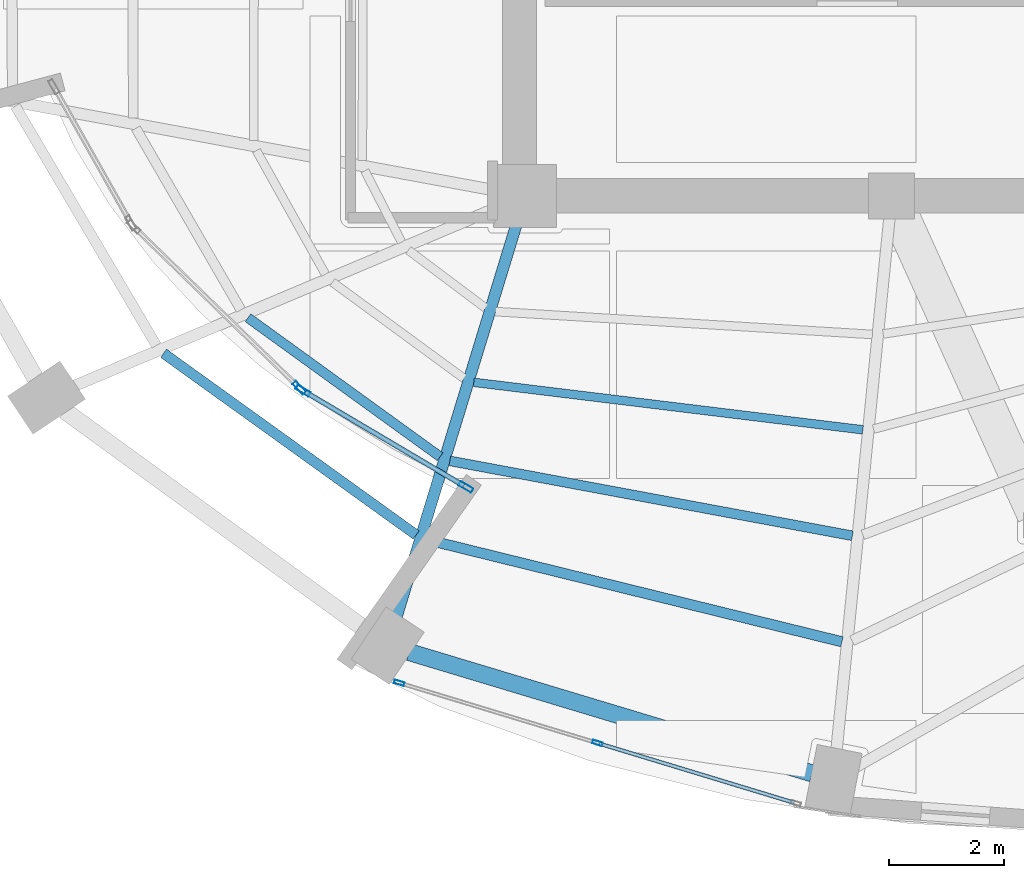
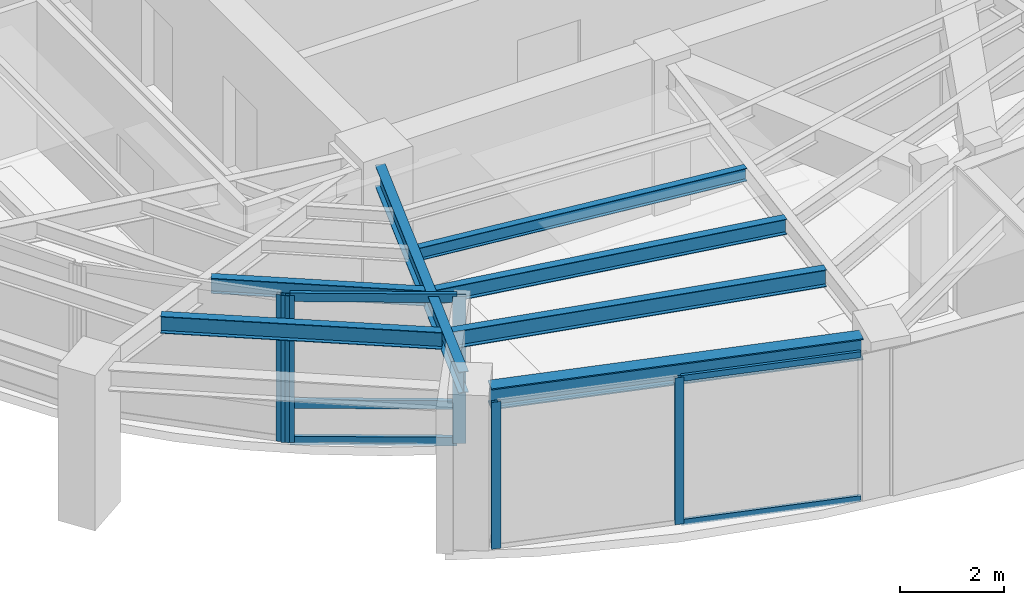
# One storey, part 2 of 22: 10 members, 7 beams, 3 elements without a shape of their own.
"""IFC4 building model written with IfcOpenShell, lengths in metres."""

from ifc_helpers import new_model, si_unit, direction, frame, origin, origin_2d, place, context, subcontext, project, spatial, hollow_rectangle, i_section, extrude, material, layer, layer_set, material_profile, profile_set, type_object, element, aggregate, save


model = new_model("IFC4")

# Units and contexts
model_context = context("Model", 3, precision=1e-05, world=origin(), true_north=direction((0.0, 1.0)))
body_context = subcontext(model_context, "Body", "Model", "MODEL_VIEW")
ifc_project = project(units=[si_unit("LENGTHUNIT", "METRE"), si_unit("AREAUNIT", "SQUARE_METRE"), si_unit("VOLUMEUNIT", "CUBIC_METRE"), si_unit("PLANEANGLEUNIT", "RADIAN"), si_unit("MASSUNIT", "GRAM", prefix="KILO")], contexts=[model_context])

# Site, building, storey
site_placement = place(None, origin())
site = spatial("IfcSite", under=ifc_project, at=site_placement, CompositionType="ELEMENT")
building_placement = place(site_placement, origin())
building = spatial("IfcBuilding", under=site, at=building_placement, Name="Lazwardi Medical Tower", CompositionType="ELEMENT")
storey_placement = place(building_placement, frame((0.0, 0.0, 224.01611328125)))
storey = spatial("IfcBuildingStorey", under=building, at=storey_placement, Name="L58", CompositionType="ELEMENT", Elevation=224.01611328125)

# Beams
ifc_material_1 = material(Name="Steel S355", Category="steel")
ifc_material_profile_1 = material_profile(ifc_material_1, i_section(OverallWidth=0.300048828125, OverallDepth=0.5, WebThickness=0.014404296875, FlangeThickness=0.028076171875, at=origin_2d()), Name="HEB 500")
ifc_profile_set_1 = profile_set([ifc_material_profile_1], Name="Steel S355")
beam_type_1 = type_object("IfcBeamType", Name="BM-RB-Z4", PredefinedType="BEAM", material=ifc_profile_set_1)
beam_1_placement = place(storey_placement, frame((24.373046875, 12.43359375, 3.197998046875), z_axis=(0.957544311906, -0.288286126506, 0.0), x_axis=(0.288286126506, 0.957544311906, 0.0)))
element("IfcBeam", 1, at=beam_1_placement, inside=storey, type_object=beam_type_1, Name="Ring beam RB-05 B15 L58", PredefinedType="BEAM", context=body_context, shape_type="SweptSolid", body=[
    extrude(i_section(OverallWidth=0.300048828125, OverallDepth=0.5, WebThickness=0.014404296875, FlangeThickness=0.028076171875, at=origin_2d()), origin(), (0.0, 0.0, 1.0), 7.3515625),
])
ifc_material_profile_2 = material_profile(ifc_material_1, i_section(OverallWidth=0.199951171875, OverallDepth=0.5, WebThickness=0.01025390625, FlangeThickness=0.01611328125, at=origin_2d()), Name="IPE 500")
ifc_profile_set_2 = profile_set([ifc_material_profile_2], Name="Steel S355")
beam_type_2 = type_object("IfcBeamType", Name="BM-RG-W3", PredefinedType="BEAM", material=ifc_profile_set_2)
beam_2_placement = place(storey_placement, frame((24.156005859375, 13.0576171875, 3.197998046875), z_axis=(0.292276716539, 0.956333791607, 0.0), x_axis=(-0.956333791607, 0.292276716539, 0.0)))
element("IfcBeam", 2, at=beam_2_placement, inside=storey, type_object=beam_type_2, Name="Radial girder RG-04 R15 L58", PredefinedType="BEAM", context=body_context, shape_type="SweptSolid", body=[
    extrude(i_section(OverallWidth=0.199951171875, OverallDepth=0.5, WebThickness=0.01025390625, FlangeThickness=0.01611328125, at=origin_2d()), origin(), (0.0, 0.0, 1.0), 7.142822265625),
])
ifc_material_profile_3 = material_profile(ifc_material_1, i_section(OverallWidth=0.179931640625, OverallDepth=0.39990234375, WebThickness=0.008544921875, FlangeThickness=0.013427734375, at=origin_2d()), Name="IPE 400")
ifc_profile_set_3 = profile_set([ifc_material_profile_3], Name="Steel S355")
beam_type_3 = type_object("IfcBeamType", Name="BM-SJ-01", PredefinedType="JOIST", material=ifc_profile_set_3)
beam_3_placement = place(storey_placement, frame((20.085205078125, 17.651123046875, 3.247802734375), z_axis=(0.811889581337, -0.58381102055, 0.0), x_axis=(0.58381102055, 0.811889581337, 0.0)))
element("IfcBeam", 3, at=beam_3_placement, inside=storey, type_object=beam_type_3, Name="Secondary joist SJ-01 R1 B14 L58", PredefinedType="JOIST", context=body_context, shape_type="SweptSolid", body=[
    extrude(i_section(OverallWidth=0.179931640625, OverallDepth=0.39990234375, WebThickness=0.008544921875, FlangeThickness=0.013427734375, at=origin_2d()), origin(), (0.0, 0.0, 1.0), 5.433349609375),
])
beam_4_placement = place(storey_placement, frame((24.665771484375, 14.40087890625, 3.247802734375), z_axis=(0.971041669317, -0.238910184904, 0.0), x_axis=(0.238910184904, 0.971041669317, 0.0)))
element("IfcBeam", 4, at=beam_4_placement, inside=storey, type_object=beam_type_3, Name="Secondary joist SJ-01 R1 B15 L58", PredefinedType="JOIST", context=body_context, shape_type="SweptSolid", body=[
    extrude(i_section(OverallWidth=0.179931640625, OverallDepth=0.39990234375, WebThickness=0.008544921875, FlangeThickness=0.013427734375, at=origin_2d()), origin(), (0.0, 0.0, 1.0), 7.482421875),
])
ifc_material_profile_4 = material_profile(ifc_material_1, i_section(OverallWidth=0.169921875, OverallDepth=0.360107421875, WebThickness=0.008056640625, FlangeThickness=0.0126953125, at=origin_2d()), Name="IPE 360")
ifc_profile_set_4 = profile_set([ifc_material_profile_4], Name="Steel S355")
beam_type_4 = type_object("IfcBeamType", Name="BM-SJ-02", PredefinedType="JOIST", material=ifc_profile_set_4)
beam_5_placement = place(storey_placement, frame((21.559814453125, 18.2724609375, 3.267822265625), z_axis=(0.810164229155, -0.586202969796, 0.0), x_axis=(0.586202969796, 0.810164229155, 0.0)))
element("IfcBeam", 5, at=beam_5_placement, inside=storey, type_object=beam_type_4, Name="Secondary joist SJ-02 R2 B14 L58", PredefinedType="JOIST", context=body_context, shape_type="SweptSolid", body=[
    extrude(i_section(OverallWidth=0.169921875, OverallDepth=0.360107421875, WebThickness=0.008056640625, FlangeThickness=0.0126953125, at=origin_2d()), origin(), (0.0, 0.0, 1.0), 4.14013671875),
])
beam_6_placement = place(storey_placement, frame((25.08447265625, 15.7724609375, 3.267822265625), z_axis=(0.983132476587, -0.182894870019, 0.0), x_axis=(0.182894870019, 0.983132476587, 0.0)))
element("IfcBeam", 6, at=beam_6_placement, inside=storey, type_object=beam_type_4, Name="Secondary joist SJ-02 R2 B15 L58", PredefinedType="JOIST", context=body_context, shape_type="SweptSolid", body=[
    extrude(i_section(OverallWidth=0.169921875, OverallDepth=0.360107421875, WebThickness=0.008056640625, FlangeThickness=0.0126953125, at=origin_2d()), origin(), (0.0, 0.0, 1.0), 7.15087890625),
])
ifc_material_profile_5 = material_profile(ifc_material_1, i_section(OverallWidth=0.14990234375, OverallDepth=0.300048828125, WebThickness=0.007080078125, FlangeThickness=0.0107421875, at=origin_2d()), Name="IPE 300")
ifc_profile_set_5 = profile_set([ifc_material_profile_5], Name="Steel S355")
beam_type_5 = type_object("IfcBeamType", Name="BM-SJ-03", PredefinedType="JOIST", material=ifc_profile_set_5)
beam_7_placement = place(storey_placement, frame((25.5029296875, 17.14453125, 3.2978515625), z_axis=(0.992634689535, -0.121146081783, 0.0), x_axis=(0.121146081783, 0.992634689535, 0.0)))
element("IfcBeam", 7, at=beam_7_placement, inside=storey, type_object=beam_type_5, Name="Secondary joist SJ-03 R3 B15 L58", PredefinedType="JOIST", context=body_context, shape_type="SweptSolid", body=[
    extrude(i_section(OverallWidth=0.14990234375, OverallDepth=0.300048828125, WebThickness=0.007080078125, FlangeThickness=0.0107421875, at=origin_2d()), origin(), (0.0, 0.0, 1.0), 6.845947265625),
])

# Curtain wall, members
ifc_material_2 = material(Name="Anodised bronze aluminium and solar control glazing", Category="aluminium")
ifc_layer_1 = layer(ifc_material_2, 0.239990234375)
ifc_layer_set_1 = layer_set([ifc_layer_1], Name="Anodised bronze aluminium and solar control glazing")
curtain_wall_type_1 = type_object("IfcCurtainWallType", Name="CW-SYS-05", PredefinedType="NOTDEFINED", material=ifc_layer_set_1)
curtain_wall_1_placement = place(storey_placement, origin())
curtain_wall_1 = element("IfcCurtainWall", 8, at=curtain_wall_1_placement, inside=storey, type_object=curtain_wall_type_1, Name="L58 Unitised bronze curtain wall CW-05", PredefinedType="NOTDEFINED")
ifc_material_3 = material(Name="Anodised bronze aluminium", Category="aluminium")
ifc_material_profile_6 = material_profile(ifc_material_3, hollow_rectangle(XDim=0.0849609375, YDim=0.260009765625, WallThickness=0.0048828125, at=origin_2d()), Name="ALU-MULLION 260x85x5")
ifc_profile_set_6 = profile_set([ifc_material_profile_6], Name="Anodised bronze aluminium")
member_type_1 = type_object("IfcMemberType", Name="CW-MUL-02", PredefinedType="MULLION", material=ifc_profile_set_6)
member_1_placement = place(storey_placement, frame((22.521240234375, 16.998779296875, 0.0), z_axis=(0.0, 0.0, 1.0), x_axis=(0.509273159137, 0.860604932232, 0.0)))
member_1 = element("IfcMember", 9, at=member_1_placement, type_object=member_type_1, Name="CW-05 mullion 1", PredefinedType="MULLION", context=body_context, shape_type="SweptSolid", body=[
    extrude(hollow_rectangle(XDim=0.0849609375, YDim=0.260009765625, WallThickness=0.0048828125, at=origin_2d()), origin(), (0.0, 0.0, 1.0), 3.447998046875),
])
member_2_placement = place(storey_placement, frame((25.36376953125, 15.316650390625, 0.0), z_axis=(0.0, 0.0, 1.0), x_axis=(0.509273159137, 0.860604932232, 0.0)))
member_2 = element("IfcMember", 10, at=member_2_placement, type_object=member_type_1, Name="CW-05 mullion 2", PredefinedType="MULLION", context=body_context, shape_type="SweptSolid", body=[
    extrude(hollow_rectangle(XDim=0.0849609375, YDim=0.260009765625, WallThickness=0.0048828125, at=origin_2d()), origin(), (0.0, 0.0, 1.0), 3.447998046875),
])

# Curtain wall, member
curtain_wall_2_placement = place(storey_placement, origin())
curtain_wall_2 = element("IfcCurtainWall", 11, at=curtain_wall_2_placement, inside=storey, type_object=curtain_wall_type_1, Name="L58 Unitised bronze curtain wall CW-05", PredefinedType="NOTDEFINED")
member_3_placement = place(storey_placement, frame((22.4541015625, 17.050048828125, 0.0), z_axis=(0.0, 0.0, 1.0), x_axis=(0.697060347158, 0.717012463225, 0.0)))
member_3 = element("IfcMember", 12, at=member_3_placement, type_object=member_type_1, Name="CW-05 mullion 2", PredefinedType="MULLION", context=body_context, shape_type="SweptSolid", body=[
    extrude(hollow_rectangle(XDim=0.0849609375, YDim=0.260009765625, WallThickness=0.0048828125, at=origin_2d()), origin(), (0.0, 0.0, 1.0), 3.447998046875),
])
aggregate(curtain_wall_2, [member_3])

# Curtain wall, members
ifc_layer_2 = layer(ifc_material_2, 0.18994140625)
ifc_layer_set_2 = layer_set([ifc_layer_2], Name="Anodised bronze aluminium and solar control glazing")
curtain_wall_type_2 = type_object("IfcCurtainWallType", Name="CW-SYS-04", PredefinedType="NOTDEFINED", material=ifc_layer_set_2)
curtain_wall_3_placement = place(storey_placement, origin())
curtain_wall_3 = element("IfcCurtainWall", 13, at=curtain_wall_3_placement, inside=storey, type_object=curtain_wall_type_2, Name="L58 Unitised bronze curtain wall CW-04", PredefinedType="NOTDEFINED")
ifc_material_profile_7 = material_profile(ifc_material_3, hollow_rectangle(XDim=0.06494140625, YDim=0.179931640625, WallThickness=0.00390625, at=origin_2d()), Name="ALU-MULLION 180x65x4")
ifc_profile_set_7 = profile_set([ifc_material_profile_7], Name="Anodised bronze aluminium")
member_type_2 = type_object("IfcMemberType", Name="CW-MUL-03", PredefinedType="MULLION", material=ifc_profile_set_7)
member_4_placement = place(storey_placement, frame((24.2001953125, 11.896484375, 0.0), z_axis=(0.0, 0.0, 1.0), x_axis=(0.290581889515, 0.956850126972, 0.0)))
member_4 = element("IfcMember", 14, at=member_4_placement, type_object=member_type_2, Name="CW-04 mullion 1", PredefinedType="MULLION", context=body_context, shape_type="SweptSolid", body=[
    extrude(hollow_rectangle(XDim=0.06494140625, YDim=0.179931640625, WallThickness=0.00390625, at=origin_2d()), origin(), (0.0, 0.0, 1.0), 3.447998046875),
])
member_5_placement = place(storey_placement, frame((27.66357421875, 10.8447265625, 0.0), z_axis=(0.0, 0.0, 1.0), x_axis=(0.290581889515, 0.956850126972, 0.0)))
member_5 = element("IfcMember", 15, at=member_5_placement, type_object=member_type_2, Name="CW-04 mullion 2", PredefinedType="MULLION", context=body_context, shape_type="SweptSolid", body=[
    extrude(hollow_rectangle(XDim=0.06494140625, YDim=0.179931640625, WallThickness=0.00390625, at=origin_2d()), origin(), (0.0, 0.0, 1.0), 3.447998046875),
])

# Member
ifc_material_profile_8 = material_profile(ifc_material_3, hollow_rectangle(XDim=0.0849609375, YDim=0.199951171875, WallThickness=0.00439453125, at=origin_2d()), Name="ALU-TRANSOM 200x85x4.5")
ifc_profile_set_8 = profile_set([ifc_material_profile_8], Name="Anodised bronze aluminium")
member_type_3 = type_object("IfcMemberType", Name="CW-TRN-02", PredefinedType="USERDEFINED", material=ifc_profile_set_8)
member_6_placement = place(storey_placement, frame((22.557861328125, 16.977294921875, 0.04248046875), z_axis=(0.860583469313, -0.509309426915, 0.0), x_axis=(0.509309426915, 0.860583469313, 0.0)))
member_6 = element("IfcMember", 16, at=member_6_placement, type_object=member_type_3, Name="CW-05 transom 1.1", ObjectType="TRANSOM", PredefinedType="USERDEFINED", context=body_context, shape_type="SweptSolid", body=[
    extrude(hollow_rectangle(XDim=0.0849609375, YDim=0.199951171875, WallThickness=0.00439453125, at=origin_2d()), origin(), (0.0, 0.0, 1.0), 3.218017578125),
])

member_7_placement = place(storey_placement, frame((22.557861328125, 16.977294921875, 0.89990234375), z_axis=(0.860583469313, -0.509309426915, 0.0), x_axis=(0.509309426915, 0.860583469313, 0.0)))
member_7 = element("IfcMember", 17, at=member_7_placement, type_object=member_type_3, Name="CW-05 transom 1.2", ObjectType="TRANSOM", PredefinedType="USERDEFINED", context=body_context, shape_type="SweptSolid", body=[
    extrude(hollow_rectangle(XDim=0.0849609375, YDim=0.199951171875, WallThickness=0.00439453125, at=origin_2d()), origin(), (0.0, 0.0, 1.0), 3.218017578125),
])

member_8_placement = place(storey_placement, frame((22.557861328125, 16.977294921875, 3.4052734375), z_axis=(0.860583469313, -0.509309426915, 0.0), x_axis=(0.509309426915, 0.860583469313, 0.0)))
member_8 = element("IfcMember", 18, at=member_8_placement, type_object=member_type_3, Name="CW-05 transom 1.3", ObjectType="TRANSOM", PredefinedType="USERDEFINED", context=body_context, shape_type="SweptSolid", body=[
    extrude(hollow_rectangle(XDim=0.0849609375, YDim=0.199951171875, WallThickness=0.00439453125, at=origin_2d()), origin(), (0.0, 0.0, 1.0), 3.218017578125),
])

aggregate(curtain_wall_1, [member_1, member_2, member_6, member_7, member_8])

ifc_material_profile_9 = material_profile(ifc_material_3, hollow_rectangle(XDim=0.06494140625, YDim=0.139892578125, WallThickness=0.00341796875, at=origin_2d()), Name="ALU-TRANSOM 140x65x3.5")
ifc_profile_set_9 = profile_set([ifc_material_profile_9], Name="Anodised bronze aluminium")
member_type_4 = type_object("IfcMemberType", Name="CW-TRN-03", PredefinedType="USERDEFINED", material=ifc_profile_set_9)
member_9_placement = place(storey_placement, frame((27.694580078125, 10.835205078125, 0.032470703125), z_axis=(0.956862505902, -0.290541124109, 0.0), x_axis=(0.290541124109, 0.956862505902, 0.0)))
member_9 = element("IfcMember", 19, at=member_9_placement, type_object=member_type_4, Name="CW-04 transom 2.1", ObjectType="TRANSOM", PredefinedType="USERDEFINED", context=body_context, shape_type="SweptSolid", body=[
    extrude(hollow_rectangle(XDim=0.06494140625, YDim=0.139892578125, WallThickness=0.00341796875, at=origin_2d()), origin(), (0.0, 0.0, 1.0), 3.554443359375),
])

member_10_placement = place(storey_placement, frame((27.694580078125, 10.835205078125, 3.415283203125), z_axis=(0.956862505902, -0.290541124109, 0.0), x_axis=(0.290541124109, 0.956862505902, 0.0)))
member_10 = element("IfcMember", 20, at=member_10_placement, type_object=member_type_4, Name="CW-04 transom 2.2", ObjectType="TRANSOM", PredefinedType="USERDEFINED", context=body_context, shape_type="SweptSolid", body=[
    extrude(hollow_rectangle(XDim=0.06494140625, YDim=0.139892578125, WallThickness=0.00341796875, at=origin_2d()), origin(), (0.0, 0.0, 1.0), 3.554443359375),
])

aggregate(curtain_wall_3, [member_4, member_5, member_9, member_10])

save(model, "model.ifc")
